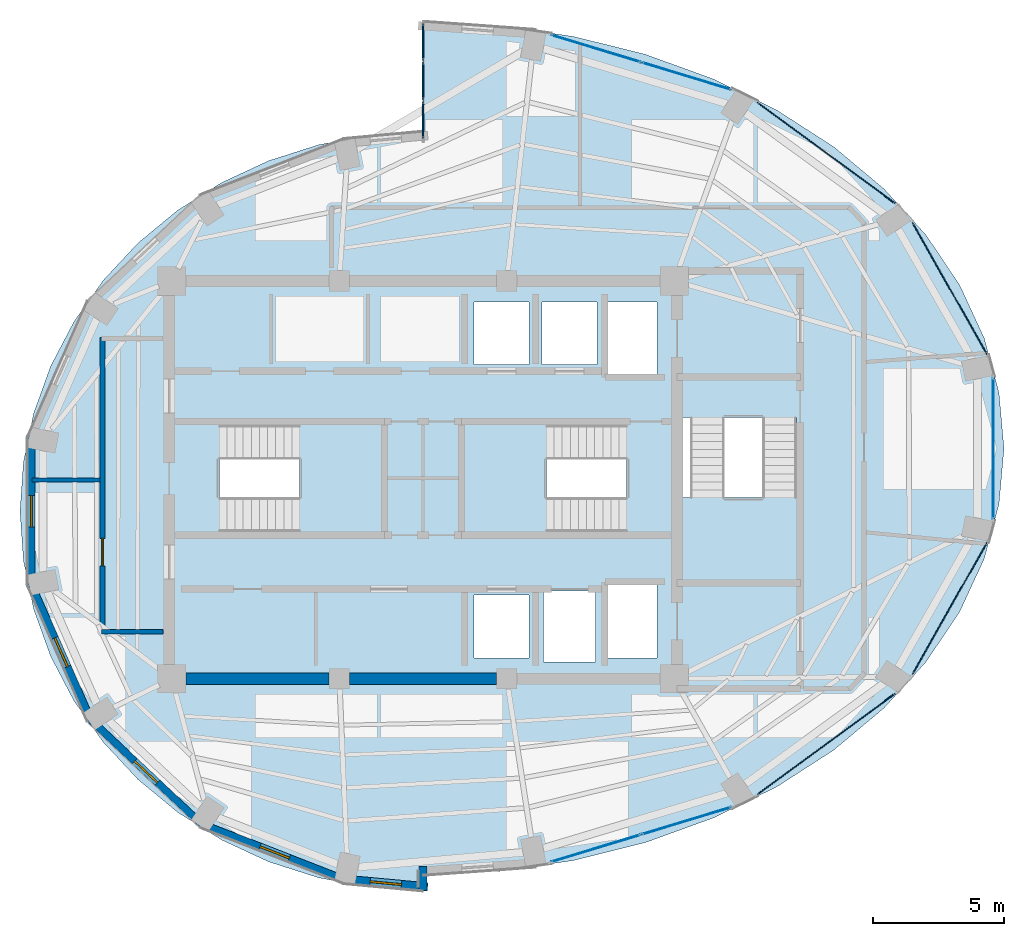
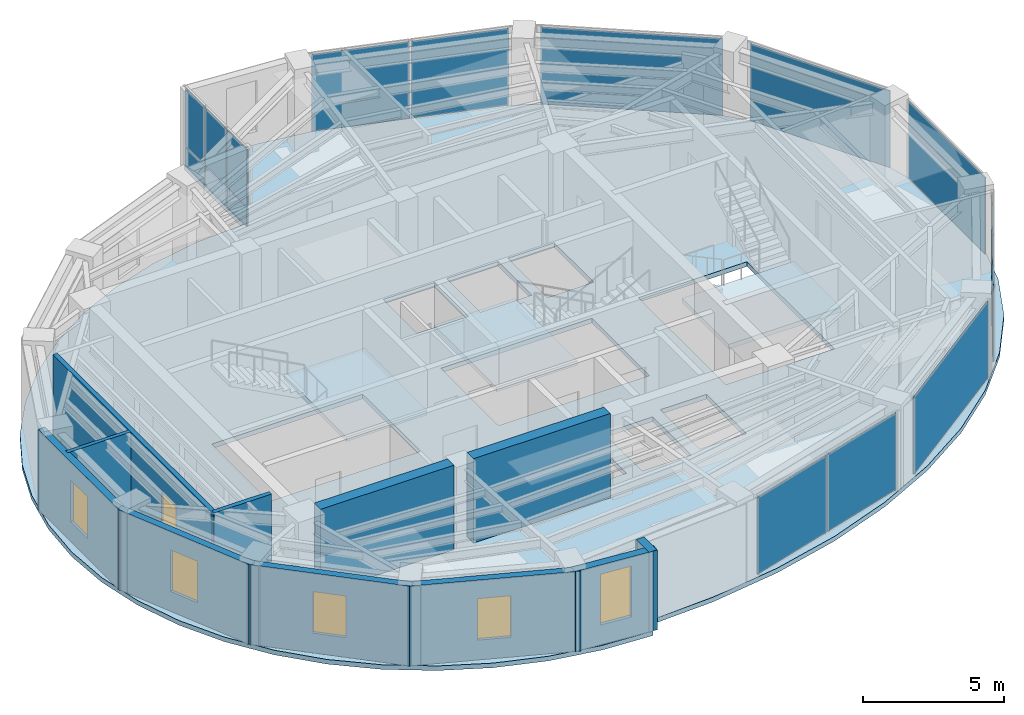
# One storey, part 10 of 15: 15 plates, 11 walls, 5 windows, 4 slabs, 1 door, 6 openings, 11 elements without a shape of their own.
"""IFC4 building model written with IfcOpenShell, lengths in metres."""

from ifc_helpers import new_model, si_unit, direction, frame, frame_2d, origin, origin_2d, place, context, subcontext, project, spatial, polyline, rectangle, outline, extrude, material, layer, layer_set, type_object, element, fill, aggregate, save


model = new_model("IFC4")

# Units and contexts
model_context = context("Model", 3, precision=1e-05, world=origin(), true_north=direction((0.0, 1.0)))
body_context = subcontext(model_context, "Body", "Model", "MODEL_VIEW")
ifc_project = project(units=[si_unit("LENGTHUNIT", "METRE"), si_unit("AREAUNIT", "SQUARE_METRE"), si_unit("VOLUMEUNIT", "CUBIC_METRE"), si_unit("PLANEANGLEUNIT", "RADIAN"), si_unit("MASSUNIT", "GRAM", prefix="KILO")], contexts=[model_context])

# Site, building, storey
site_placement = place(None, origin())
site = spatial("IfcSite", under=ifc_project, at=site_placement, CompositionType="ELEMENT")
building_placement = place(site_placement, origin())
building = spatial("IfcBuilding", under=site, at=building_placement, Name="Lazwardi Medical Tower", CompositionType="ELEMENT")
storey_placement = place(building_placement, frame((0.0, 0.0, 280.56005859375)))
storey = spatial("IfcBuildingStorey", under=building, at=storey_placement, Name="L73", CompositionType="ELEMENT", Elevation=280.56005859375)

# Curtain wall, plates
ifc_material_1 = material(Name="Anodised bronze aluminium and solar control glazing", Category="aluminium")
ifc_layer_1 = layer(ifc_material_1, 0.18994140625)
ifc_layer_set_1 = layer_set([ifc_layer_1], Name="Anodised bronze aluminium and solar control glazing")
curtain_wall_type_1 = type_object("IfcCurtainWallType", Name="CW-SYS-04", PredefinedType="NOTDEFINED", material=ifc_layer_set_1)
curtain_wall_1_placement = place(storey_placement, origin())
curtain_wall_1 = element("IfcCurtainWall", 1, at=curtain_wall_1_placement, inside=storey, type_object=curtain_wall_type_1, Name="L73 Unitised bronze curtain wall CW-04", PredefinedType="NOTDEFINED")
ifc_material_2 = material(Name="Low-e bronze solar control double glazing", Category="glass")
ifc_layer_2 = layer(ifc_material_2, 0.035888671875)
ifc_layer_set_2 = layer_set([ifc_layer_2], Name="Low-e bronze solar control double glazing")
plate_type_1 = type_object("IfcPlateType", Name="PLT-GLZ-01", PredefinedType="CURTAIN_PANEL", material=ifc_layer_set_2)
plate_1_placement = place(storey_placement, frame((42.604736328125, 13.918701171875, 0.06494140625), z_axis=(0.0, 0.0, 1.0), x_axis=(0.956850126972, 0.290581889515, 0.0)))
plate_1 = element("IfcPlate", 2, at=plate_1_placement, type_object=plate_type_1, Name="CW-04 panel 1.1", PredefinedType="CURTAIN_PANEL", context=body_context, shape_type="SweptSolid", body=[
    extrude(rectangle(XDim=3.554443359375, YDim=0.035888671875, at=origin_2d()), origin(), (0.0, 0.0, 1.0), 3.318115234375),
])
plate_2_placement = place(storey_placement, frame((46.068115234375, 14.970458984375, 0.06494140625), z_axis=(0.0, 0.0, 1.0), x_axis=(0.956850126972, 0.290581889515, 0.0)))
plate_2 = element("IfcPlate", 3, at=plate_2_placement, type_object=plate_type_1, Name="CW-04 panel 2.1", PredefinedType="CURTAIN_PANEL", context=body_context, shape_type="SweptSolid", body=[
    extrude(rectangle(XDim=3.554443359375, YDim=0.035888671875, at=origin_2d()), origin(), (0.0, 0.0, 1.0), 3.318115234375),
])
aggregate(curtain_wall_1, [plate_1, plate_2])

# Curtain wall, plate
curtain_wall_2_placement = place(storey_placement, origin())
curtain_wall_2 = element("IfcCurtainWall", 4, at=curtain_wall_2_placement, inside=storey, type_object=curtain_wall_type_1, Name="L73 Unitised bronze curtain wall CW-04", PredefinedType="NOTDEFINED")
plate_3_placement = place(storey_placement, frame((51.403564453125, 17.90673828125, 0.06494140625), z_axis=(0.0, 0.0, 1.0), x_axis=(0.806474971121, 0.591268230971, 0.0)))
plate_3 = element("IfcPlate", 5, at=plate_3_placement, type_object=plate_type_1, Name="CW-04 panel 1.1", PredefinedType="CURTAIN_PANEL", context=body_context, shape_type="SweptSolid", body=[
    extrude(rectangle(XDim=6.502685546875, YDim=0.035888671875, at=origin_2d()), origin(), (0.0, 0.0, 1.0), 3.318115234375),
])
aggregate(curtain_wall_2, [plate_3])

curtain_wall_3_placement = place(storey_placement, origin())
curtain_wall_3 = element("IfcCurtainWall", 6, at=curtain_wall_3_placement, inside=storey, type_object=curtain_wall_type_1, Name="L73 Unitised bronze curtain wall CW-04", PredefinedType="NOTDEFINED")
plate_4_placement = place(storey_placement, frame((56.125732421875, 23.088134765625, 0.06494140625), z_axis=(0.0, 0.0, 1.0), x_axis=(0.491900474661, 0.870651436011, 0.0)))
plate_4 = element("IfcPlate", 7, at=plate_4_placement, type_object=plate_type_1, Name="CW-04 panel 1.1", PredefinedType="CURTAIN_PANEL", context=body_context, shape_type="SweptSolid", body=[
    extrude(rectangle(XDim=5.755126953125, YDim=0.035888671875, at=origin_2d()), origin(), (0.0, 0.0, 1.0), 3.318115234375),
])
aggregate(curtain_wall_3, [plate_4])

curtain_wall_4_placement = place(storey_placement, origin())
curtain_wall_4 = element("IfcCurtainWall", 8, at=curtain_wall_4_placement, inside=storey, type_object=curtain_wall_type_1, Name="L73 Unitised bronze curtain wall CW-04", PredefinedType="NOTDEFINED")
plate_5_placement = place(storey_placement, frame((57.7841796875, 29.199951171875, 0.06494140625), z_axis=(0.0, 0.0, 1.0), x_axis=(0.0, 1.0, 0.0)))
plate_5 = element("IfcPlate", 9, at=plate_5_placement, type_object=plate_type_1, Name="CW-04 panel 1.1", PredefinedType="CURTAIN_PANEL", context=body_context, shape_type="SweptSolid", body=[
    extrude(rectangle(XDim=5.416015625, YDim=0.035888671875, at=origin_2d()), origin(), (0.0, 0.0, 1.0), 3.318115234375),
])
aggregate(curtain_wall_4, [plate_5])

curtain_wall_5_placement = place(storey_placement, origin())
curtain_wall_5 = element("IfcCurtainWall", 10, at=curtain_wall_5_placement, inside=storey, type_object=curtain_wall_type_1, Name="L73 Unitised bronze curtain wall CW-04", PredefinedType="NOTDEFINED")
plate_6_placement = place(storey_placement, frame((56.125732421875, 35.311767578125, 0.06494140625), z_axis=(0.0, 0.0, 1.0), x_axis=(-0.491900474661, 0.870651436011, 0.0)))
plate_6 = element("IfcPlate", 11, at=plate_6_placement, type_object=plate_type_1, Name="CW-04 panel 1.1", PredefinedType="CURTAIN_PANEL", context=body_context, shape_type="SweptSolid", body=[
    extrude(rectangle(XDim=5.755126953125, YDim=0.035888671875, at=origin_2d()), origin(), (0.0, 0.0, 1.0), 3.318115234375),
])
aggregate(curtain_wall_5, [plate_6])

curtain_wall_6_placement = place(storey_placement, origin())
curtain_wall_6 = element("IfcCurtainWall", 12, at=curtain_wall_6_placement, inside=storey, type_object=curtain_wall_type_1, Name="L73 Unitised bronze curtain wall CW-04", PredefinedType="NOTDEFINED")
plate_7_placement = place(storey_placement, frame((51.403564453125, 40.4931640625, 0.06494140625), z_axis=(0.0, 0.0, 1.0), x_axis=(-0.806474971121, 0.591268230971, 0.0)))
plate_7 = element("IfcPlate", 13, at=plate_7_placement, type_object=plate_type_1, Name="CW-04 panel 1.1", PredefinedType="CURTAIN_PANEL", context=body_context, shape_type="SweptSolid", body=[
    extrude(rectangle(XDim=6.502685546875, YDim=0.035888671875, at=origin_2d()), origin(), (0.0, 0.0, 1.0), 3.318115234375),
])
aggregate(curtain_wall_6, [plate_7])

# Curtain wall, plates
curtain_wall_7_placement = place(storey_placement, origin())
curtain_wall_7 = element("IfcCurtainWall", 14, at=curtain_wall_7_placement, inside=storey, type_object=curtain_wall_type_1, Name="L73 Unitised bronze curtain wall CW-04", PredefinedType="NOTDEFINED")
plate_8_placement = place(storey_placement, frame((46.068115234375, 43.429443359375, 0.06494140625), z_axis=(0.0, 0.0, 1.0), x_axis=(-0.956850126972, 0.290581889515, 0.0)))
plate_8 = element("IfcPlate", 15, at=plate_8_placement, type_object=plate_type_1, Name="CW-04 panel 1.1", PredefinedType="CURTAIN_PANEL", context=body_context, shape_type="SweptSolid", body=[
    extrude(rectangle(XDim=3.554443359375, YDim=0.035888671875, at=origin_2d()), origin(), (0.0, 0.0, 1.0), 3.318115234375),
])
plate_9_placement = place(storey_placement, frame((42.604736328125, 44.481201171875, 0.06494140625), z_axis=(0.0, 0.0, 1.0), x_axis=(-0.956850126972, 0.290581889515, 0.0)))
plate_9 = element("IfcPlate", 16, at=plate_9_placement, type_object=plate_type_1, Name="CW-04 panel 2.1", PredefinedType="CURTAIN_PANEL", context=body_context, shape_type="SweptSolid", body=[
    extrude(rectangle(XDim=3.554443359375, YDim=0.035888671875, at=origin_2d()), origin(), (0.0, 0.0, 1.0), 3.318115234375),
])
aggregate(curtain_wall_7, [plate_8, plate_9])

ifc_layer_3 = layer(ifc_material_1, 0.2099609375)
ifc_layer_set_3 = layer_set([ifc_layer_3], Name="Anodised bronze aluminium and solar control glazing")
curtain_wall_type_2 = type_object("IfcCurtainWallType", Name="CW-SYS-06", PredefinedType="NOTDEFINED", material=ifc_layer_set_3)
curtain_wall_8_placement = place(storey_placement, origin())
curtain_wall_8 = element("IfcCurtainWall", 17, at=curtain_wall_8_placement, inside=storey, type_object=curtain_wall_type_2, Name="L73 Unitised bronze curtain wall CW-06", PredefinedType="NOTDEFINED")
ifc_material_3 = material(Name="Turquoise glazed ceramic insulated panel", Category="glass")
ifc_layer_4 = layer(ifc_material_3, 0.053955078125)
ifc_layer_set_4 = layer_set([ifc_layer_4], Name="Turquoise glazed ceramic insulated panel")
plate_type_2 = type_object("IfcPlateType", Name="PLT-TRQ-01", PredefinedType="CURTAIN_PANEL", material=ifc_layer_set_4)
plate_10_placement = place(storey_placement, frame((36.0, 44.72802734375, 0.074951171875), z_axis=(0.0, 0.0, 1.0), x_axis=(0.0, -1.0, 0.0)))
plate_10 = element("IfcPlate", 18, at=plate_10_placement, type_object=plate_type_2, Name="CW-06 panel 1.1", PredefinedType="CURTAIN_PANEL", context=body_context, shape_type="SweptSolid", body=[
    extrude(rectangle(XDim=1.394287109375, YDim=0.053955078125, at=origin_2d()), origin(), (0.0, 0.0, 1.0), 0.78759765625),
])
plate_11_placement = place(storey_placement, frame((36.0, 44.72802734375, 0.9375), z_axis=(0.0, 0.0, 1.0), x_axis=(0.0, -1.0, 0.0)))
plate_11 = element("IfcPlate", 19, at=plate_11_placement, type_object=plate_type_2, Name="CW-06 panel 1.2", PredefinedType="CURTAIN_PANEL", context=body_context, shape_type="SweptSolid", body=[
    extrude(rectangle(XDim=1.394287109375, YDim=0.053955078125, at=origin_2d()), origin(), (0.0, 0.0, 1.0), 2.435546875),
])
plate_12_placement = place(storey_placement, frame((36.0, 43.239990234375, 0.074951171875), z_axis=(0.0, 0.0, 1.0), x_axis=(0.0, -1.0, 0.0)))
plate_12 = element("IfcPlate", 20, at=plate_12_placement, type_object=plate_type_2, Name="CW-06 panel 2.1", PredefinedType="CURTAIN_PANEL", context=body_context, shape_type="SweptSolid", body=[
    extrude(rectangle(XDim=1.431640625, YDim=0.053955078125, at=origin_2d()), origin(), (0.0, 0.0, 1.0), 0.78759765625),
])
plate_13_placement = place(storey_placement, frame((36.0, 43.239990234375, 0.9375), z_axis=(0.0, 0.0, 1.0), x_axis=(0.0, -1.0, 0.0)))
plate_13 = element("IfcPlate", 21, at=plate_13_placement, type_object=plate_type_2, Name="CW-06 panel 2.2", PredefinedType="CURTAIN_PANEL", context=body_context, shape_type="SweptSolid", body=[
    extrude(rectangle(XDim=1.431640625, YDim=0.053955078125, at=origin_2d()), origin(), (0.0, 0.0, 1.0), 2.435546875),
])
plate_14_placement = place(storey_placement, frame((36.0, 41.752197265625, 0.074951171875), z_axis=(0.0, 0.0, 1.0), x_axis=(0.0, -1.0, 0.0)))
plate_14 = element("IfcPlate", 22, at=plate_14_placement, type_object=plate_type_2, Name="CW-06 panel 3.1", PredefinedType="CURTAIN_PANEL", context=body_context, shape_type="SweptSolid", body=[
    extrude(rectangle(XDim=1.394287109375, YDim=0.053955078125, at=origin_2d()), origin(), (0.0, 0.0, 1.0), 0.78759765625),
])
plate_15_placement = place(storey_placement, frame((36.0, 41.752197265625, 0.9375), z_axis=(0.0, 0.0, 1.0), x_axis=(0.0, -1.0, 0.0)))
plate_15 = element("IfcPlate", 23, at=plate_15_placement, type_object=plate_type_2, Name="CW-06 panel 3.2", PredefinedType="CURTAIN_PANEL", context=body_context, shape_type="SweptSolid", body=[
    extrude(rectangle(XDim=1.394287109375, YDim=0.053955078125, at=origin_2d()), origin(), (0.0, 0.0, 1.0), 2.435546875),
])
aggregate(curtain_wall_8, [plate_10, plate_11, plate_12, plate_13, plate_14, plate_15])

# Stair, slab
ifc_material_4 = material(Name="Concrete C45/55", Category="concrete")
stair_type = type_object("IfcStairType", Name="STR-WRD", PredefinedType="HALF_TURN_STAIR", material=ifc_material_4)
stair_1_placement = place(storey_placement, origin())
stair_1 = element("IfcStair", 24, at=stair_1_placement, inside=storey, type_object=stair_type, Name="L73 Protected Exit Stair ST1", PredefinedType="HALF_TURN_STAIR")
ifc_layer_5 = layer(ifc_material_4, 0.199951171875)
ifc_layer_set_5 = layer_set([ifc_layer_5], Name="Concrete C45/55")
slab_type_1 = type_object("IfcSlabType", Name="SLB-LND-190", PredefinedType="LANDING", material=ifc_layer_set_5)
slab_1_placement = place(storey_placement, frame((0.0, 0.0, 1.6240234375)))
slab_1 = element("IfcSlab", 25, at=slab_1_placement, type_object=slab_type_1, Name="ST1 landing 1", PredefinedType="LANDING", context=body_context, shape_type="SweptSolid", body=[
    extrude(outline(polyline([(31.27490234375, 25.840087890625), (34.580078125, 25.840087890625), (34.580078125, 30.280029296875), (31.27490234375, 30.280029296875), (31.27490234375, 25.840087890625)])), origin(), (0.0, 0.0, 1.0), 0.199951171875),
])
aggregate(stair_1, [slab_1])

stair_2_placement = place(storey_placement, origin())
stair_2 = element("IfcStair", 26, at=stair_2_placement, inside=storey, type_object=stair_type, Name="L73 Protected Exit Stair ST2", PredefinedType="HALF_TURN_STAIR")
slab_2_placement = place(storey_placement, frame((0.0, 0.0, 1.6240234375)))
slab_2 = element("IfcSlab", 27, at=slab_2_placement, type_object=slab_type_1, Name="ST2 landing 1", PredefinedType="LANDING", context=body_context, shape_type="SweptSolid", body=[
    extrude(outline(polyline([(40.72509765625, 30.280029296875), (37.419921875, 30.280029296875), (37.419921875, 25.840087890625), (40.72509765625, 25.840087890625), (40.72509765625, 30.280029296875)])), origin(), (0.0, 0.0, 1.0), 0.199951171875),
])
aggregate(stair_2, [slab_2])

stair_3_placement = place(storey_placement, origin())
stair_3 = element("IfcStair", 28, at=stair_3_placement, inside=storey, type_object=stair_type, Name="L73 Protected Exit Stair ST3", PredefinedType="HALF_TURN_STAIR")
slab_3_placement = place(storey_placement, frame((0.0, 0.0, 1.6240234375)))
slab_3 = element("IfcSlab", 29, at=slab_3_placement, type_object=slab_type_1, Name="ST3 landing 1", PredefinedType="LANDING", context=body_context, shape_type="SweptSolid", body=[
    extrude(outline(polyline([(45.860107421875, 27.324951171875), (45.860107421875, 24.02001953125), (50.4599609375, 24.02001953125), (50.4599609375, 27.324951171875), (45.860107421875, 27.324951171875)])), origin(), (0.0, 0.0, 1.0), 0.199951171875),
])
aggregate(stair_3, [slab_3])

# Slab
ifc_material_5 = material(Name="Concrete C50/60", Category="concrete")
ifc_layer_6 = layer(ifc_material_5, 0.199951171875)
ifc_layer_set_6 = layer_set([ifc_layer_6], Name="Concrete C50/60")
slab_type_2 = type_object("IfcSlabType", Name="SLB-UPP-200", PredefinedType="FLOOR", material=ifc_layer_set_6)
slab_4_placement = place(storey_placement, frame((0.0, 0.0, -0.199951171875)))
element("IfcSlab", 30, at=slab_4_placement, inside=storey, type_object=slab_type_2, Name="Structural floor slab SF-04 L73", PredefinedType="FLOOR", context=body_context, shape_type="SweptSolid", body=[
    extrude(outline(polyline([(23.782470703125, 17.972900390625), (25.110595703125, 16.547119140625), (26.625, 15.29638671875), (28.300048828125, 14.24267578125), (30.106689453125, 13.40380859375), (32.01416015625, 12.794189453125), (33.989990234375, 12.424072265625), (36.0, 12.300048828125), (36.0, 12.89990234375), (38.897705078125, 13.039306640625), (41.745849609375, 13.455322265625), (44.49560546875, 14.140869140625), (47.10009765625, 15.083740234375), (49.514404296875, 16.268310546875), (51.69775390625, 17.67431640625), (53.6123046875, 19.277099609375), (55.225830078125, 21.050048828125), (56.510009765625, 22.96240234375), (57.443603515625, 24.981201171875), (58.010009765625, 27.072509765625), (58.199951171875, 29.199951171875), (58.010009765625, 31.32763671875), (57.443603515625, 33.418701171875), (56.510009765625, 35.437744140625), (55.225830078125, 37.35009765625), (53.6123046875, 39.122802734375), (51.69775390625, 40.725830078125), (49.514404296875, 42.131591796875), (47.10009765625, 43.316162109375), (44.49560546875, 44.25927734375), (41.745849609375, 44.944580078125), (38.897705078125, 45.360595703125), (36.0, 45.5), (36.0, 41.300048828125), (33.989990234375, 41.176025390625), (32.01416015625, 40.805908203125), (30.106689453125, 40.1962890625), (28.300048828125, 39.357421875), (26.625, 38.3037109375), (25.110595703125, 37.052978515625), (23.782470703125, 35.626953125), (22.6630859375, 34.050048828125), (21.772216796875, 32.348876953125), (21.124755859375, 30.552978515625), (20.731689453125, 28.692626953125), (20.60009765625, 26.800048828125), (20.731689453125, 24.907470703125), (21.124755859375, 23.047119140625), (21.772216796875, 21.251220703125), (22.6630859375, 19.550048828125), (23.782470703125, 17.972900390625)]), holes=[polyline([(28.22509765625, 26.02001953125), (28.22509765625, 30.10009765625), (34.39990234375, 30.10009765625), (34.39990234375, 26.02001953125), (28.22509765625, 26.02001953125)]), polyline([(37.60009765625, 30.10009765625), (43.77490234375, 30.10009765625), (43.77490234375, 26.02001953125), (37.60009765625, 26.02001953125), (37.60009765625, 30.10009765625)]), polyline([(50.280029296875, 30.375), (50.280029296875, 24.179931640625), (45.840087890625, 24.179931640625), (45.840087890625, 30.375), (50.280029296875, 30.375)]), polyline([(40.050048828125, 32.39990234375), (37.949951171875, 32.39990234375), (37.949951171875, 34.800048828125), (40.050048828125, 34.800048828125), (40.050048828125, 32.39990234375)]), polyline([(40.550048828125, 32.39990234375), (40.550048828125, 34.800048828125), (42.64990234375, 34.800048828125), (42.64990234375, 32.39990234375), (40.550048828125, 32.39990234375)]), polyline([(37.949951171875, 23.60009765625), (40.050048828125, 23.60009765625), (40.050048828125, 21.199951171875), (37.949951171875, 21.199951171875), (37.949951171875, 23.60009765625)]), polyline([(44.949951171875, 34.800048828125), (44.949951171875, 32.0), (43.050048828125, 32.0), (43.050048828125, 34.800048828125), (44.949951171875, 34.800048828125)]), polyline([(44.949951171875, 21.199951171875), (43.050048828125, 21.199951171875), (43.050048828125, 24.0), (44.949951171875, 24.0), (44.949951171875, 21.199951171875)]), polyline([(40.60009765625, 21.050048828125), (40.60009765625, 23.75), (42.60009765625, 23.75), (42.60009765625, 21.050048828125), (40.60009765625, 21.050048828125)])]), origin(), (0.0, 0.0, 1.0), 0.199951171875),
])

# Wall
ifc_material_6 = material(Name="Fire-rated gypsum board on steel stud", Category="steel")
ifc_layer_7 = layer(ifc_material_6, 0.179931640625)
ifc_layer_set_7 = layer_set([ifc_layer_7], Name="Fire-rated gypsum board on steel stud")
wall_type_1 = type_object("IfcWallType", Name="WL-COR-180", PredefinedType="PARTITIONING", material=ifc_layer_set_7)
wall_1_placement = place(storey_placement, frame((26.06005859375, 22.199951171875, 0.0), z_axis=(0.0, 0.0, 1.0), x_axis=(-1.0, 0.0, 0.0)))
element("IfcWall", 31, at=wall_1_placement, inside=storey, type_object=wall_type_1, Name="L73 Corridor partition 7", PredefinedType="PARTITIONING", context=body_context, shape_type="SweptSolid", body=[
    extrude(rectangle(XDim=2.35009765625, YDim=0.179931640625, at=frame_2d((1.175048828125, 0.0))), origin(), (0.0, 0.0, 1.0), 3.447998046875),
])

# Wall, opening, door
wall_2_placement = place(storey_placement, frame((23.75, 22.159912109375, 0.0), z_axis=(0.0, 0.0, 1.0), x_axis=(0.0, 1.0, 0.0)))
wall_2 = element("IfcWall", 32, at=wall_2_placement, inside=storey, type_object=wall_type_1, Name="L73 Corridor partition 8", PredefinedType="PARTITIONING", context=body_context, shape_type="SweptSolid", body=[
    extrude(rectangle(XDim=11.280029296875, YDim=0.179931640625, at=frame_2d((5.64013671875, 0.0))), origin(), (0.0, 0.0, 1.0), 3.447998046875),
])
opening_1_placement = place(wall_2_placement, frame((2.553955078125, 0.0, 0.0)))
opening_1 = element("IfcOpeningElement", 33, at=opening_1_placement, cuts=wall_2, Name="Opening D-L73-014", PredefinedType="OPENING", context=body_context, shape_type="SweptSolid", body=[
    extrude(rectangle(XDim=1.050048828125, YDim=2.14990234375, at=frame_2d((0.52490234375, 1.074951171875))), frame((0.0, 0.099853515625, 0.0), z_axis=(0.0, -1.0, 0.0), x_axis=(1.0, 0.0, 0.0)), (0.0, 0.0, 1.0), 0.199951171875),
])
ifc_material_7 = material(Name="Anti-microbial laminate hospital leaf")
door_type = type_object("IfcDoorType", Name="DR-CLN-1050", OperationType="NOTDEFINED", PredefinedType="DOOR", material=ifc_material_7)
door_placement = place(opening_1_placement, origin())
door = element("IfcDoor", 34, at=door_placement, inside=storey, type_object=door_type, Name="L73 Outpatient Consultation Suite Door 01", OperationType="SINGLE_SWING_LEFT", OverallHeight=2.14990234375, OverallWidth=1.050048828125, PredefinedType="DOOR", context=body_context, shape_type="SweptSolid", body=[
    extrude(rectangle(XDim=1.050048828125, YDim=2.14990234375, at=frame_2d((0.52490234375, 1.074951171875))), frame((0.0, 0.02490234375, 0.0), z_axis=(0.0, -1.0, 0.0), x_axis=(1.0, 0.0, 0.0)), (0.0, 0.0, 1.0), 0.050048828125),
])
fill(opening_1, door)

# Walls
ifc_material_8 = material(Name="Concrete C60/75", Category="concrete")
ifc_layer_8 = layer(ifc_material_8, 0.449951171875)
ifc_layer_set_8 = layer_set([ifc_layer_8], Name="Concrete C60/75")
wall_type_2 = type_object("IfcWallType", Name="WL-CORE-450", PredefinedType="SHEAR", material=ifc_layer_set_8)
wall_3_placement = place(storey_placement, frame((26.949951171875, 20.39990234375, 0.0), z_axis=(0.0, 0.0, 1.0), x_axis=(1.0, 0.0, 0.0)))
element("IfcWall", 35, at=wall_3_placement, inside=storey, type_object=wall_type_2, Name="Core wall CW-S4 S1 L73", PredefinedType="SHEAR", context=body_context, shape_type="SweptSolid", body=[
    extrude(rectangle(XDim=5.449951171875, YDim=0.449951171875, at=frame_2d((2.72509765625, 0.0))), origin(), (0.0, 0.0, 1.0), 3.64794921875),
])
wall_4_placement = place(storey_placement, frame((33.199951171875, 20.39990234375, 0.0), z_axis=(0.0, 0.0, 1.0), x_axis=(1.0, 0.0, 0.0)))
element("IfcWall", 36, at=wall_4_placement, inside=storey, type_object=wall_type_2, Name="Core wall CW-S4 S2 L73", PredefinedType="SHEAR", context=body_context, shape_type="SweptSolid", body=[
    extrude(rectangle(XDim=5.60009765625, YDim=0.449951171875, at=frame_2d((2.800048828125, 0.0))), origin(), (0.0, 0.0, 1.0), 3.64794921875),
])

# Wall, opening, window
ifc_material_9 = material(Name="Precast concrete C45/55", Category="concrete")
ifc_layer_9 = layer(ifc_material_9, 0.280029296875)
ifc_layer_set_9 = layer_set([ifc_layer_9], Name="Precast concrete C45/55")
wall_type_3 = type_object("IfcWallType", Name="WL-DRUM-280", PredefinedType="SOLIDWALL", material=ifc_layer_set_9)
wall_5_placement = place(storey_placement, frame((21.033203125, 29.701416015625, 0.0), z_axis=(0.0, 0.0, 1.0), x_axis=(0.0, -1.0, 0.0)))
wall_5 = element("IfcWall", 37, at=wall_5_placement, inside=storey, type_object=wall_type_3, Name="L73 West Drum Precast Wall 4", PredefinedType="SOLIDWALL", context=body_context, shape_type="SweptSolid", body=[
    extrude(rectangle(XDim=5.802978515625, YDim=0.280029296875, at=frame_2d((2.9013671875, 0.0))), origin(), (0.0, 0.0, 1.0), 3.447998046875),
])
opening_2_placement = place(wall_5_placement, frame((2.301513671875, 0.0, 0.85009765625)))
opening_2 = element("IfcOpeningElement", 38, at=opening_2_placement, cuts=wall_5, Name="Opening WN-04", PredefinedType="OPENING", context=body_context, shape_type="SweptSolid", body=[
    extrude(rectangle(XDim=1.199951171875, YDim=1.800048828125, at=frame_2d((0.60009765625, 0.89990234375))), frame((0.0, 0.14990234375, 0.0), z_axis=(0.0, -1.0, 0.0), x_axis=(1.0, 0.0, 0.0)), (0.0, 0.0, 1.0), 0.300048828125),
])
window_type_1 = type_object("IfcWindowType", Name="WIN-DRUM-1200", PartitioningType="SINGLE_PANEL", PredefinedType="WINDOW", material=ifc_material_2)
window_1_placement = place(opening_2_placement, origin())
window_1 = element("IfcWindow", 39, at=window_1_placement, inside=storey, type_object=window_type_1, Name="L73 West Drum Window 4", OverallHeight=1.800048828125, OverallWidth=1.199951171875, PartitioningType="SINGLE_PANEL", PredefinedType="WINDOW", context=body_context, shape_type="SweptSolid", body=[
    extrude(rectangle(XDim=1.199951171875, YDim=1.800048828125, at=frame_2d((0.60009765625, 0.89990234375))), frame((0.0, 0.030029296875, 0.0), z_axis=(0.0, -1.0, 0.0), x_axis=(1.0, 0.0, 0.0)), (0.0, 0.0, 1.0), 0.06005859375),
])
fill(opening_2, window_1)

wall_6_placement = place(storey_placement, frame((20.992919921875, 24.090087890625, 0.0), z_axis=(0.0, 0.0, 1.0), x_axis=(0.402867150469, -0.91525846572, 0.0)))
wall_6 = element("IfcWall", 40, at=wall_6_placement, inside=storey, type_object=wall_type_3, Name="L73 West Drum Precast Wall 5", PredefinedType="SOLIDWALL", context=body_context, shape_type="SweptSolid", body=[
    extrude(rectangle(XDim=5.85595703125, YDim=0.280029296875, at=frame_2d((2.927978515625, 0.0))), origin(), (0.0, 0.0, 1.0), 3.447998046875),
])
opening_3_placement = place(wall_6_placement, frame((2.327880859375, 0.0, 0.85009765625)))
opening_3 = element("IfcOpeningElement", 41, at=opening_3_placement, cuts=wall_6, Name="Opening WN-04", PredefinedType="OPENING", context=body_context, shape_type="SweptSolid", body=[
    extrude(rectangle(XDim=1.199951171875, YDim=1.800048828125, at=frame_2d((0.60009765625, 0.89990234375))), frame((0.0, 0.14990234375, 0.0), z_axis=(0.0, -1.0, 0.0), x_axis=(1.0, 0.0, 0.0)), (0.0, 0.0, 1.0), 0.300048828125),
])
window_2_placement = place(opening_3_placement, origin())
window_2 = element("IfcWindow", 42, at=window_2_placement, inside=storey, type_object=window_type_1, Name="L73 West Drum Window 5", OverallHeight=1.800048828125, OverallWidth=1.199951171875, PartitioningType="SINGLE_PANEL", PredefinedType="WINDOW", context=body_context, shape_type="SweptSolid", body=[
    extrude(rectangle(XDim=1.199951171875, YDim=1.800048828125, at=frame_2d((0.60009765625, 0.89990234375))), frame((0.0, 0.030029296875, 0.0), z_axis=(0.0, -1.0, 0.0), x_axis=(1.0, 0.0, 0.0)), (0.0, 0.0, 1.0), 0.06005859375),
])
fill(opening_3, window_2)

wall_7_placement = place(storey_placement, frame((23.239013671875, 18.890380859375, 0.0), z_axis=(0.0, 0.0, 1.0), x_axis=(0.728251519923, -0.685309947199, 0.0)))
wall_7 = element("IfcWall", 43, at=wall_7_placement, inside=storey, type_object=wall_type_3, Name="L73 West Drum Precast Wall 6", PredefinedType="SOLIDWALL", context=body_context, shape_type="SweptSolid", body=[
    extrude(rectangle(XDim=5.98095703125, YDim=0.280029296875, at=frame_2d((2.990478515625, 0.0))), origin(), (0.0, 0.0, 1.0), 3.447998046875),
])
opening_4_placement = place(wall_7_placement, frame((2.390625, 0.0, 0.85009765625)))
opening_4 = element("IfcOpeningElement", 44, at=opening_4_placement, cuts=wall_7, Name="Opening WN-04", PredefinedType="OPENING", context=body_context, shape_type="SweptSolid", body=[
    extrude(rectangle(XDim=1.199951171875, YDim=1.800048828125, at=frame_2d((0.60009765625, 0.89990234375))), frame((0.0, 0.14990234375, 0.0), z_axis=(0.0, -1.0, 0.0), x_axis=(1.0, 0.0, 0.0)), (0.0, 0.0, 1.0), 0.300048828125),
])
window_3_placement = place(opening_4_placement, origin())
window_3 = element("IfcWindow", 45, at=window_3_placement, inside=storey, type_object=window_type_1, Name="L73 West Drum Window 6", OverallHeight=1.800048828125, OverallWidth=1.199951171875, PartitioningType="SINGLE_PANEL", PredefinedType="WINDOW", context=body_context, shape_type="SweptSolid", body=[
    extrude(rectangle(XDim=1.199951171875, YDim=1.800048828125, at=frame_2d((0.60009765625, 0.89990234375))), frame((0.0, 0.030029296875, 0.0), z_axis=(0.0, -1.0, 0.0), x_axis=(1.0, 0.0, 0.0)), (0.0, 0.0, 1.0), 0.06005859375),
])
fill(opening_4, window_3)

wall_8_placement = place(storey_placement, frame((27.4287109375, 14.896484375, 0.0), z_axis=(0.0, 0.0, 1.0), x_axis=(0.931716550814, -0.36318627306, 0.0)))
wall_8 = element("IfcWall", 46, at=wall_8_placement, inside=storey, type_object=wall_type_3, Name="L73 West Drum Precast Wall 7", PredefinedType="SOLIDWALL", context=body_context, shape_type="SweptSolid", body=[
    extrude(rectangle(XDim=6.22412109375, YDim=0.280029296875, at=frame_2d((3.112060546875, 0.0))), origin(), (0.0, 0.0, 1.0), 3.447998046875),
])
opening_5_placement = place(wall_8_placement, frame((2.511962890625, 0.0, 0.85009765625)))
opening_5 = element("IfcOpeningElement", 47, at=opening_5_placement, cuts=wall_8, Name="Opening WN-04", PredefinedType="OPENING", context=body_context, shape_type="SweptSolid", body=[
    extrude(rectangle(XDim=1.199951171875, YDim=1.800048828125, at=frame_2d((0.60009765625, 0.89990234375))), frame((0.0, 0.14990234375, 0.0), z_axis=(0.0, -1.0, 0.0), x_axis=(1.0, 0.0, 0.0)), (0.0, 0.0, 1.0), 0.300048828125),
])
window_4_placement = place(opening_5_placement, origin())
window_4 = element("IfcWindow", 48, at=window_4_placement, inside=storey, type_object=window_type_1, Name="L73 West Drum Window 7", OverallHeight=1.800048828125, OverallWidth=1.199951171875, PartitioningType="SINGLE_PANEL", PredefinedType="WINDOW", context=body_context, shape_type="SweptSolid", body=[
    extrude(rectangle(XDim=1.199951171875, YDim=1.800048828125, at=frame_2d((0.60009765625, 0.89990234375))), frame((0.0, 0.030029296875, 0.0), z_axis=(0.0, -1.0, 0.0), x_axis=(1.0, 0.0, 0.0)), (0.0, 0.0, 1.0), 0.06005859375),
])
fill(opening_5, window_4)

ifc_layer_10 = layer(ifc_material_9, 0.320068359375)
ifc_layer_set_10 = layer_set([ifc_layer_10], Name="Precast concrete C45/55")
wall_type_4 = type_object("IfcWallType", Name="WL-IWAN-320", PredefinedType="SOLIDWALL", material=ifc_layer_set_10)
wall_9_placement = place(storey_placement, frame((32.97705078125, 12.739990234375, 0.0), z_axis=(0.0, 0.0, 1.0), x_axis=(0.995736155144, -0.092247001792, 0.0)))
wall_9 = element("IfcWall", 49, at=wall_9_placement, inside=storey, type_object=wall_type_4, Name="L73 Iwan Portal Return Wall SW_ret", PredefinedType="SOLIDWALL", context=body_context, shape_type="SweptSolid", body=[
    extrude(rectangle(XDim=3.215576171875, YDim=0.320068359375, at=frame_2d((1.60791015625, 0.0))), origin(), (0.0, 0.0, 1.0), 3.447998046875),
])
opening_6_placement = place(wall_9_placement, frame((1.0078125, 0.0, 0.85009765625)))
opening_6 = element("IfcOpeningElement", 50, at=opening_6_placement, cuts=wall_9, Name="Opening WN-01", PredefinedType="OPENING", context=body_context, shape_type="SweptSolid", body=[
    extrude(rectangle(XDim=1.199951171875, YDim=2.199951171875, at=frame_2d((0.60009765625, 1.10009765625))), frame((0.0, 0.169921875, 0.0), z_axis=(0.0, -1.0, 0.0), x_axis=(1.0, 0.0, 0.0)), (0.0, 0.0, 1.0), 0.340087890625),
])
window_type_2 = type_object("IfcWindowType", Name="WIN-IW-1200", PartitioningType="SINGLE_PANEL", PredefinedType="WINDOW", material=ifc_material_2)
window_5_placement = place(opening_6_placement, origin())
window_5 = element("IfcWindow", 51, at=window_5_placement, inside=storey, type_object=window_type_2, Name="L73 Iwan Slot Window SW_ret", OverallHeight=2.199951171875, OverallWidth=1.199951171875, PartitioningType="SINGLE_PANEL", PredefinedType="WINDOW", context=body_context, shape_type="SweptSolid", body=[
    extrude(rectangle(XDim=1.199951171875, YDim=2.199951171875, at=frame_2d((0.60009765625, 1.10009765625))), frame((0.0, 0.030029296875, 0.0), z_axis=(0.0, -1.0, 0.0), x_axis=(1.0, 0.0, 0.0)), (0.0, 0.0, 1.0), 0.06005859375),
])
fill(opening_6, window_5)

# Walls
wall_10_placement = place(storey_placement, frame((36.0, 12.300048828125, 0.0), z_axis=(0.0, 0.0, 1.0), x_axis=(0.0, 1.0, 0.0)))
element("IfcWall", 52, at=wall_10_placement, inside=storey, type_object=wall_type_4, Name="L73 Turquoise Tilework Iwan Seam Wall S_seam", PredefinedType="SOLIDWALL", context=body_context, shape_type="SweptSolid", body=[
    extrude(rectangle(XDim=0.919921875, YDim=0.320068359375, at=frame_2d((0.4599609375, 0.0))), origin(), (0.0, 0.0, 1.0), 3.447998046875),
])
ifc_material_10 = material(Name="Acoustic gypsum board partition")
ifc_layer_11 = layer(ifc_material_10, 0.14990234375)
ifc_layer_set_11 = layer_set([ifc_layer_11], Name="Acoustic gypsum board partition")
wall_type_5 = type_object("IfcWallType", Name="WL-WRD-150", PredefinedType="PARTITIONING", material=ifc_layer_set_11)
wall_11_placement = place(storey_placement, frame((21.068115234375, 28.0, 0.0), z_axis=(0.0, 0.0, 1.0), x_axis=(1.0, 0.0, 0.0)))
element("IfcWall", 53, at=wall_11_placement, inside=storey, type_object=wall_type_5, Name="L73 Room partition 1", PredefinedType="PARTITIONING", context=body_context, shape_type="SweptSolid", body=[
    extrude(rectangle(XDim=2.591796875, YDim=0.14990234375, at=frame_2d((1.2958984375, 0.0))), origin(), (0.0, 0.0, 1.0), 3.447998046875),
])

save(model, "model.ifc")
